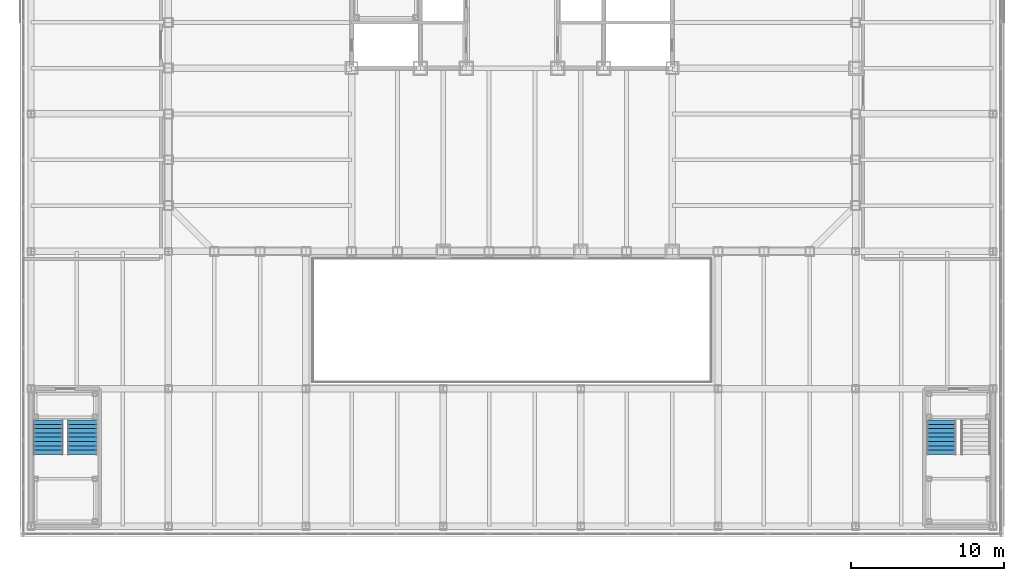
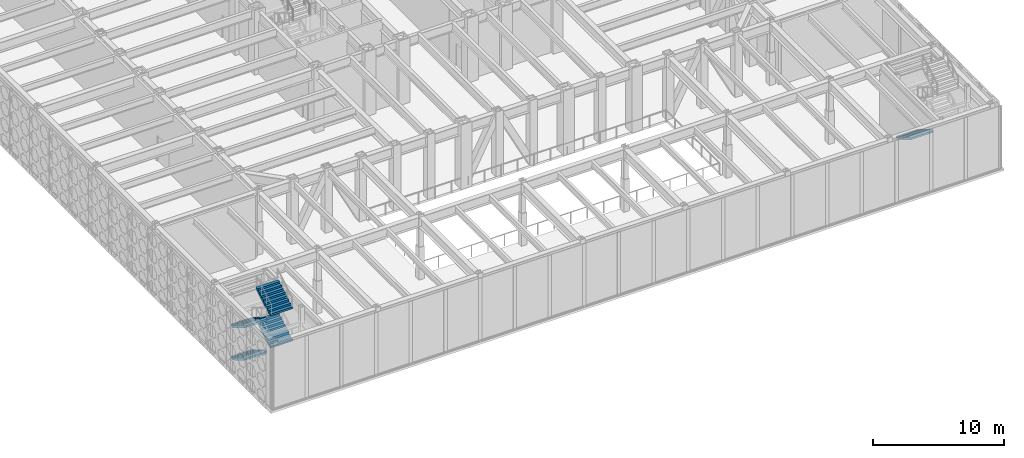
# One storey, part 18 of 32: 5 stair flights, 2 elements without a shape of their own.
"""IFC4 building model written with IfcOpenShell, lengths in metres."""

import ifcopenshell
import ifcopenshell.guid

model = None  # the IFC model being written
_history = None  # IfcOwnerHistory: only IFC2X3 demands one
_inside = {}  # id of a spatial element -> (the spatial element, [elements in it])
_under = {}  # id of a project, library or spatial element -> (it, [spatial elements below it])
_declared = {}  # id of a project -> (the project, [libraries it declares])
_typed = {}  # id of a type object -> (the type object, [elements of that type])
_made_of = {}  # id of a material, layer set ... -> (it, [elements and type objects made of it])


def new_model(schema):
    """Start an empty IFC model of exactly this schema.

    Asked for "IFC4X3", IfcOpenShell would pick the latest addendum, in which some entities
    have other attributes; the version numbers below select the first issue.
    IFC2X3 requires an IfcOwnerHistory on every rooted entity: one is made here for all.
    """
    global model, _history
    if schema == "IFC4X3":
        model = ifcopenshell.file(schema_version=(4, 3, 0, 0))
    else:
        model = ifcopenshell.file(schema=schema)
    _inside.clear()
    _under.clear()
    _declared.clear()
    _typed.clear()
    _made_of.clear()
    _history = None
    if model.schema == "IFC2X3":
        org = make("IfcOrganization", Name="unknown")
        user = make(
            "IfcPersonAndOrganization",
            ThePerson=make("IfcPerson", FamilyName="unknown"),
            TheOrganization=org,
        )
        app = make(
            "IfcApplication",
            ApplicationDeveloper=org,
            Version="unknown",
            ApplicationFullName="unknown",
            ApplicationIdentifier="unknown",
        )
        _history = make(
            "IfcOwnerHistory",
            OwningUser=user,
            OwningApplication=app,
            ChangeAction="ADDED",
            CreationDate=0,
        )
    return model


def make(cls, **values):
    """One entity of the class cls with the attributes given. An attribute that is None is left unset."""
    return model.create_entity(
        cls, **{name: value for name, value in values.items() if value is not None}
    )


def rooted(cls, **values):
    """An entity with a GlobalId (a new one), such as an element, a storey or a relation."""
    return make(cls, GlobalId=ifcopenshell.guid.new(), OwnerHistory=_history, **values)


def si_unit(unit_type, name, prefix=None):
    """IfcSIUnit, for example si_unit("LENGTHUNIT", "METRE", prefix="MILLI")."""
    return make("IfcSIUnit", UnitType=unit_type, Prefix=prefix, Name=name)


def assignment(units):
    """IfcUnitAssignment: the units of a project."""
    return None if units is None else make("IfcUnitAssignment", Units=units)


def point(xyz):
    """IfcCartesianPoint."""
    return None if xyz is None else make("IfcCartesianPoint", Coordinates=xyz)


def direction(xyz):
    """IfcDirection."""
    return None if xyz is None else make("IfcDirection", DirectionRatios=xyz)


def frame(location, z_axis=None, x_axis=None):
    """IfcAxis2Placement3D, a coordinate frame: its origin and axes. An axis left out is left unset."""
    return make(
        "IfcAxis2Placement3D",
        Location=point(location),
        Axis=direction(z_axis),
        RefDirection=direction(x_axis),
    )


def origin():
    """The frame at (0, 0, 0) with its axes left unset."""
    return frame((0.0, 0.0, 0.0))


def place(relative_to, where):
    """IfcLocalPlacement: puts the frame where relative to a parent placement (None: the world)."""
    return make(
        "IfcLocalPlacement", PlacementRelTo=relative_to, RelativePlacement=where
    )


def context(
    kind, dimensions, precision=None, world=None, true_north=None, identifier=None
):
    """IfcGeometricRepresentationContext, for example the 3D "Model" context."""
    return make(
        "IfcGeometricRepresentationContext",
        ContextIdentifier=identifier,
        ContextType=kind,
        CoordinateSpaceDimension=dimensions,
        Precision=precision,
        WorldCoordinateSystem=world,
        TrueNorth=true_north,
    )


def subcontext(parent, identifier, kind, view, scale=None):
    """IfcGeometricRepresentationSubContext, for example "Body" below "Model"."""
    return make(
        "IfcGeometricRepresentationSubContext",
        ContextIdentifier=identifier,
        ContextType=kind,
        ParentContext=parent,
        TargetScale=scale,
        TargetView=view,
    )


def project(units=None, contexts=None):
    """IfcProject with its units and contexts."""
    return rooted(
        "IfcProject",
        Name="project",
        RepresentationContexts=contexts,
        UnitsInContext=assignment(units),
    )


def spatial(cls, under=None, at=None, **own):
    """A site, building, storey or space (cls), placed at a placement, below another one or the project."""
    s = rooted(cls, ObjectPlacement=at, **own)
    if under is not None:
        _under.setdefault(under.id(), (under, []))[1].append(s)
    return s


def faces_of(points, faces, orient=None, outer=None):
    """IfcFace entities. A face is a list of loops; a loop is a list of indices into points, from 0.

    orient and outer hold one flag for each loop. By default every Orientation is true, the
    first loop of a face is its IfcFaceOuterBound and the others are IfcFaceBound.
    """
    made = []
    for i, loops in enumerate(faces):
        bounds = []
        for j, loop in enumerate(loops):
            is_outer = j == 0 if outer is None else outer[i][j]
            bounds.append(
                make(
                    "IfcFaceOuterBound" if is_outer else "IfcFaceBound",
                    Bound=make("IfcPolyLoop", Polygon=[points[k] for k in loop]),
                    Orientation=True if orient is None else orient[i][j],
                )
            )
        made.append(make("IfcFace", Bounds=bounds))
    return made


def faceted_brep(points, faces, orient=None, outer=None, voids=None):
    """IfcFacetedBrep: a solid bounded by flat faces; with voids (closed shells), ...WithVoids."""
    shared = [point(p) for p in points]
    hull = make("IfcClosedShell", CfsFaces=faces_of(shared, faces, orient, outer))
    if voids is None:
        return make("IfcFacetedBrep", Outer=hull)
    return make(
        "IfcFacetedBrepWithVoids",
        Outer=hull,
        Voids=[
            make(cls, CfsFaces=faces_of(shared, fs, o, b)) for cls, fs, o, b in voids
        ],
    )


def shape(context_of_items, identifier, shape_type, items):
    """IfcShapeRepresentation: the items that make up one representation, for example the "Body"."""
    return make(
        "IfcShapeRepresentation",
        ContextOfItems=context_of_items,
        RepresentationIdentifier=identifier,
        RepresentationType=shape_type,
        Items=items,
    )


def material(Name=None, Category=None):
    """IfcMaterial."""
    return make("IfcMaterial", Name=Name, Category=Category)


def made_of(thing, what):
    """Note that an element or type object is made of a material, layer set ...; save() writes the relation."""
    if what is not None:
        _made_of.setdefault(what.id(), (what, []))[1].append(thing)
    return thing


def type_object(cls, material=None, **own):
    """A type object (cls), such as IfcWallType, which elements share."""
    return made_of(rooted(cls, **own), material)


def element(
    cls,
    number,
    at=None,
    inside=None,
    cuts=None,
    type_object=None,
    material=None,
    context=None,
    identifier="Body",
    shape_type=None,
    held_by="IfcProductDefinitionShape",
    body=None,
    shapes=None,
    **own,
):
    """One element of the class cls, such as IfcWall. Its Tag is "e" and its number.

    at: its placement. inside: the storey or other place that contains it. cuts: it is an
    opening in that element (IfcRelVoidsElement). A single representation is given by context,
    identifier, shape_type and body (its items); several are given by shapes. held_by: the class
    of the entity that holds the representations. save() writes the other relations.
    """
    e = rooted(cls, Tag="e%d" % number, ObjectPlacement=at, **own)
    if body is not None:
        shapes = [shape(context, identifier, shape_type, body)]
    if shapes is not None:
        e.Representation = make(held_by, Representations=shapes)
    if inside is not None:
        _inside.setdefault(inside.id(), (inside, []))[1].append(e)
    if cuts is not None:
        rooted(
            "IfcRelVoidsElement", RelatingBuildingElement=cuts, RelatedOpeningElement=e
        )
    if type_object is not None:
        _typed.setdefault(type_object.id(), (type_object, []))[1].append(e)
    return made_of(e, material)


def aggregate(whole, parts):
    """IfcRelAggregates: a whole, such as a stair, and the parts it consists of."""
    return rooted("IfcRelAggregates", RelatingObject=whole, RelatedObjects=parts)


def save(model, path):
    """Write the relations noted so far, then the file.

    IfcRelAggregates (storeys below a building ...), IfcRelContainedInSpatialStructure (elements
    in a storey), IfcRelDefinesByType, IfcRelAssociatesMaterial and IfcRelDeclares: one each for
    every whole, place, type object, material and project.
    """
    for whole, parts in _under.values():
        aggregate(whole, parts)
    for where, things in _inside.values():
        rooted(
            "IfcRelContainedInSpatialStructure",
            RelatedElements=things,
            RelatingStructure=where,
        )
    for kind, things in _typed.values():
        rooted("IfcRelDefinesByType", RelatedObjects=things, RelatingType=kind)
    for what, things in _made_of.values():
        rooted("IfcRelAssociatesMaterial", RelatedObjects=things, RelatingMaterial=what)
    for by, libraries in _declared.values():
        rooted("IfcRelDeclares", RelatingContext=by, RelatedDefinitions=libraries)
    model.write(path)


model = new_model("IFC4")

# Units and contexts
model_context = context("Model", 3, precision=1e-05, world=origin(), true_north=direction((0.0, 1.0)))
body_context = subcontext(model_context, "Body", "Model", "MODEL_VIEW")
ifc_project = project(units=[si_unit("LENGTHUNIT", "METRE"), si_unit("AREAUNIT", "SQUARE_METRE"), si_unit("VOLUMEUNIT", "CUBIC_METRE"), si_unit("PLANEANGLEUNIT", "RADIAN"), si_unit("MASSUNIT", "GRAM", prefix="KILO")], contexts=[model_context])

# Site, building, storey
site_placement = place(None, origin())
site = spatial("IfcSite", under=ifc_project, at=site_placement, CompositionType="ELEMENT")
building_placement = place(site_placement, origin())
building = spatial("IfcBuilding", under=site, at=building_placement, Name="Chuquiago Exchange Tower", CompositionType="ELEMENT")
storey_placement = place(building_placement, frame((0.0, 0.0, 13.5)))
storey = spatial("IfcBuildingStorey", under=building, at=storey_placement, Name="L02", CompositionType="ELEMENT", Elevation=13.5)

# Stair, stair flights
ifc_material_1 = material(Name="Concrete C30/37, precast", Category="concrete")
stair_type_1 = type_object("IfcStairType", Name="PS1 double half-turn stair 6000", PredefinedType="DOUBLE_RETURN_STAIR", material=ifc_material_1)
stair_1_placement = place(storey_placement, origin())
stair_1 = element("IfcStair", 1, at=stair_1_placement, inside=storey, type_object=stair_type_1, Name="Stair PS1 L02", PredefinedType="DOUBLE_RETURN_STAIR")
ifc_material_2 = material(Name="Concrete C30/37, precast", Category="concrete")
stair_flight_type = type_object("IfcStairFlightType", Name="ST-F flight 1950 for 6000 storey", PredefinedType="STRAIGHT", material=ifc_material_2)
stair_flight_1_placement = place(storey_placement, frame((-7.875, -11.050048828125, 0.0), z_axis=(0.0, 0.0, 1.0), x_axis=(0.0, -1.0, 0.0)))
stair_flight_1 = element("IfcStairFlight", 2, at=stair_flight_1_placement, type_object=stair_flight_type, Name="PS1 flight 1", NumberOfRisers=9, NumberOfTreads=8, PredefinedType="STRAIGHT", RiserHeight=0.166666667, TreadLength=0.28, context=body_context, shape_type="Brep", body=[
    faceted_brep([(0.0, 0.97509765625, 0.0), (0.0, 0.97509765625, 0.166748046875), (0.280029296875, 0.97509765625, 0.166748046875), (0.280029296875, 0.97509765625, 0.333251953125), (0.56005859375, 0.97509765625, 0.333251953125), (0.56005859375, 0.97509765625, 0.5), (0.840087890625, 0.97509765625, 0.5), (0.840087890625, 0.97509765625, 0.666748046875), (1.1201171875, 0.97509765625, 0.666748046875), (1.1201171875, 0.97509765625, 0.833251953125), (1.39990234375, 0.97509765625, 0.833251953125), (1.39990234375, 0.97509765625, 1.0), (1.679931640625, 0.97509765625, 1.0), (1.679931640625, 0.97509765625, 1.166748046875), (1.9599609375, 0.97509765625, 1.166748046875), (1.9599609375, 0.97509765625, 1.333251953125), (2.239990234375, 0.97509765625, 1.333251953125), (2.239990234375, 0.97509765625, 1.158935546875), (0.29296875, 0.97509765625, 0.0), (0.29296875, -0.97509765625, 0.0), (2.239990234375, -0.97509765625, 1.158935546875), (2.239990234375, -0.97509765625, 1.333251953125), (1.9599609375, -0.97509765625, 1.333251953125), (1.9599609375, -0.97509765625, 1.166748046875), (1.679931640625, -0.97509765625, 1.166748046875), (1.679931640625, -0.97509765625, 1.0), (1.39990234375, -0.97509765625, 1.0), (1.39990234375, -0.97509765625, 0.833251953125), (1.1201171875, -0.97509765625, 0.833251953125), (1.1201171875, -0.97509765625, 0.666748046875), (0.840087890625, -0.97509765625, 0.666748046875), (0.840087890625, -0.97509765625, 0.5), (0.56005859375, -0.97509765625, 0.5), (0.56005859375, -0.97509765625, 0.333251953125), (0.280029296875, -0.97509765625, 0.333251953125), (0.280029296875, -0.97509765625, 0.166748046875), (0.0, -0.97509765625, 0.166748046875), (0.0, -0.97509765625, 0.0), (0.0, 0.487548828125, 0.0), (0.0, 0.487548828125, 0.166748046875), (0.0, 0.0, 0.0), (0.0, 0.0, 0.166748046875), (0.0, -0.487548828125, 0.0), (0.0, -0.487548828125, 0.166748046875), (0.280029296875, 0.487548828125, 0.166748046875), (0.280029296875, 0.0, 0.166748046875), (0.280029296875, -0.487548828125, 0.166748046875), (0.280029296875, 0.487548828125, 0.333251953125), (0.280029296875, 0.0, 0.333251953125), (0.280029296875, -0.487548828125, 0.333251953125), (0.56005859375, 0.487548828125, 0.333251953125), (0.56005859375, 0.0, 0.333251953125), (0.56005859375, -0.487548828125, 0.333251953125), (0.56005859375, 0.487548828125, 0.5), (0.56005859375, 0.0, 0.5), (0.56005859375, -0.487548828125, 0.5), (0.840087890625, 0.487548828125, 0.5), (0.840087890625, 0.0, 0.5), (0.840087890625, -0.487548828125, 0.5), (0.840087890625, 0.487548828125, 0.666748046875), (0.840087890625, 0.0, 0.666748046875), (0.840087890625, -0.487548828125, 0.666748046875), (1.1201171875, 0.487548828125, 0.666748046875), (1.1201171875, 0.0, 0.666748046875), (1.1201171875, -0.487548828125, 0.666748046875), (1.1201171875, 0.487548828125, 0.833251953125), (1.1201171875, 0.0, 0.833251953125), (1.1201171875, -0.487548828125, 0.833251953125), (1.39990234375, 0.487548828125, 0.833251953125), (1.39990234375, 0.0, 0.833251953125), (1.39990234375, -0.487548828125, 0.833251953125), (1.39990234375, 0.487548828125, 1.0), (1.39990234375, 0.0, 1.0), (1.39990234375, -0.487548828125, 1.0), (1.679931640625, 0.487548828125, 1.0), (1.679931640625, 0.0, 1.0), (1.679931640625, -0.487548828125, 1.0), (1.679931640625, 0.487548828125, 1.166748046875), (1.679931640625, 0.0, 1.166748046875), (1.679931640625, -0.487548828125, 1.166748046875), (1.9599609375, 0.487548828125, 1.166748046875), (1.9599609375, 0.0, 1.166748046875), (1.9599609375, -0.487548828125, 1.166748046875), (1.9599609375, 0.487548828125, 1.333251953125), (1.9599609375, 0.0, 1.333251953125), (1.9599609375, -0.487548828125, 1.333251953125), (2.239990234375, 0.487548828125, 1.333251953125), (2.239990234375, 0.0, 1.333251953125), (2.239990234375, -0.487548828125, 1.333251953125), (2.239990234375, 0.487548828125, 1.158935546875), (2.239990234375, 0.0, 1.158935546875), (2.239990234375, -0.487548828125, 1.158935546875), (0.29296875, 0.487548828125, 0.0), (0.29296875, 0.0, 0.0), (0.29296875, -0.487548828125, 0.0)], [[[0, 1, 2, 3, 4, 5, 6, 7, 8, 9, 10, 11, 12, 13, 14, 15, 16, 17, 18]], [[19, 20, 21, 22, 23, 24, 25, 26, 27, 28, 29, 30, 31, 32, 33, 34, 35, 36, 37]], [[1, 0, 38, 39]], [[39, 38, 40, 41]], [[41, 40, 42, 43]], [[43, 42, 37, 36]], [[2, 1, 39, 44]], [[44, 39, 41, 45]], [[45, 41, 43, 46]], [[46, 43, 36, 35]], [[3, 2, 44, 47]], [[47, 44, 45, 48]], [[48, 45, 46, 49]], [[49, 46, 35, 34]], [[4, 3, 47, 50]], [[50, 47, 48, 51]], [[51, 48, 49, 52]], [[52, 49, 34, 33]], [[5, 4, 50, 53]], [[53, 50, 51, 54]], [[54, 51, 52, 55]], [[55, 52, 33, 32]], [[6, 5, 53, 56]], [[56, 53, 54, 57]], [[57, 54, 55, 58]], [[58, 55, 32, 31]], [[7, 6, 56, 59]], [[59, 56, 57, 60]], [[60, 57, 58, 61]], [[61, 58, 31, 30]], [[8, 7, 59, 62]], [[62, 59, 60, 63]], [[63, 60, 61, 64]], [[64, 61, 30, 29]], [[9, 8, 62, 65]], [[65, 62, 63, 66]], [[66, 63, 64, 67]], [[67, 64, 29, 28]], [[10, 9, 65, 68]], [[68, 65, 66, 69]], [[69, 66, 67, 70]], [[70, 67, 28, 27]], [[11, 10, 68, 71]], [[71, 68, 69, 72]], [[72, 69, 70, 73]], [[73, 70, 27, 26]], [[12, 11, 71, 74]], [[74, 71, 72, 75]], [[75, 72, 73, 76]], [[76, 73, 26, 25]], [[13, 12, 74, 77]], [[77, 74, 75, 78]], [[78, 75, 76, 79]], [[79, 76, 25, 24]], [[14, 13, 77, 80]], [[80, 77, 78, 81]], [[81, 78, 79, 82]], [[82, 79, 24, 23]], [[15, 14, 80, 83]], [[83, 80, 81, 84]], [[84, 81, 82, 85]], [[85, 82, 23, 22]], [[16, 15, 83, 86]], [[86, 83, 84, 87]], [[87, 84, 85, 88]], [[88, 85, 22, 21]], [[17, 16, 86, 89]], [[89, 86, 87, 90]], [[90, 87, 88, 91]], [[91, 88, 21, 20]], [[18, 17, 89, 92]], [[92, 89, 90, 93]], [[93, 90, 91, 94]], [[94, 91, 20, 19]], [[0, 18, 92, 38]], [[38, 92, 93, 40]], [[40, 93, 94, 42]], [[42, 94, 19, 37]]]),
])
stair_flight_2_placement = place(storey_placement, frame((-5.625, -13.2900390625, 1.5), z_axis=(0.0, 0.0, 1.0), x_axis=(0.0, 1.0, 0.0)))
stair_flight_2 = element("IfcStairFlight", 3, at=stair_flight_2_placement, type_object=stair_flight_type, Name="PS1 flight 2", NumberOfRisers=9, NumberOfTreads=8, PredefinedType="STRAIGHT", RiserHeight=0.166666667, TreadLength=0.28, context=body_context, shape_type="Brep", body=[
    faceted_brep([(0.0, 0.97509765625, 0.0), (0.0, 0.97509765625, 0.166748046875), (0.280029296875, 0.97509765625, 0.166748046875), (0.280029296875, 0.97509765625, 0.333251953125), (0.56005859375, 0.97509765625, 0.333251953125), (0.56005859375, 0.97509765625, 0.5), (0.840087890625, 0.97509765625, 0.5), (0.840087890625, 0.97509765625, 0.666748046875), (1.1201171875, 0.97509765625, 0.666748046875), (1.1201171875, 0.97509765625, 0.833251953125), (1.39990234375, 0.97509765625, 0.833251953125), (1.39990234375, 0.97509765625, 1.0), (1.679931640625, 0.97509765625, 1.0), (1.679931640625, 0.97509765625, 1.166748046875), (1.9599609375, 0.97509765625, 1.166748046875), (1.9599609375, 0.97509765625, 1.333251953125), (2.239990234375, 0.97509765625, 1.333251953125), (2.239990234375, 0.97509765625, 1.158935546875), (0.29296875, 0.97509765625, 0.0), (0.29296875, -0.97509765625, 0.0), (2.239990234375, -0.97509765625, 1.158935546875), (2.239990234375, -0.97509765625, 1.333251953125), (1.9599609375, -0.97509765625, 1.333251953125), (1.9599609375, -0.97509765625, 1.166748046875), (1.679931640625, -0.97509765625, 1.166748046875), (1.679931640625, -0.97509765625, 1.0), (1.39990234375, -0.97509765625, 1.0), (1.39990234375, -0.97509765625, 0.833251953125), (1.1201171875, -0.97509765625, 0.833251953125), (1.1201171875, -0.97509765625, 0.666748046875), (0.840087890625, -0.97509765625, 0.666748046875), (0.840087890625, -0.97509765625, 0.5), (0.56005859375, -0.97509765625, 0.5), (0.56005859375, -0.97509765625, 0.333251953125), (0.280029296875, -0.97509765625, 0.333251953125), (0.280029296875, -0.97509765625, 0.166748046875), (0.0, -0.97509765625, 0.166748046875), (0.0, -0.97509765625, 0.0), (0.0, 0.487548828125, 0.0), (0.0, 0.487548828125, 0.166748046875), (0.0, 0.0, 0.0), (0.0, 0.0, 0.166748046875), (0.0, -0.487548828125, 0.0), (0.0, -0.487548828125, 0.166748046875), (0.280029296875, 0.487548828125, 0.166748046875), (0.280029296875, 0.0, 0.166748046875), (0.280029296875, -0.487548828125, 0.166748046875), (0.280029296875, 0.487548828125, 0.333251953125), (0.280029296875, 0.0, 0.333251953125), (0.280029296875, -0.487548828125, 0.333251953125), (0.56005859375, 0.487548828125, 0.333251953125), (0.56005859375, 0.0, 0.333251953125), (0.56005859375, -0.487548828125, 0.333251953125), (0.56005859375, 0.487548828125, 0.5), (0.56005859375, 0.0, 0.5), (0.56005859375, -0.487548828125, 0.5), (0.840087890625, 0.487548828125, 0.5), (0.840087890625, 0.0, 0.5), (0.840087890625, -0.487548828125, 0.5), (0.840087890625, 0.487548828125, 0.666748046875), (0.840087890625, 0.0, 0.666748046875), (0.840087890625, -0.487548828125, 0.666748046875), (1.1201171875, 0.487548828125, 0.666748046875), (1.1201171875, 0.0, 0.666748046875), (1.1201171875, -0.487548828125, 0.666748046875), (1.1201171875, 0.487548828125, 0.833251953125), (1.1201171875, 0.0, 0.833251953125), (1.1201171875, -0.487548828125, 0.833251953125), (1.39990234375, 0.487548828125, 0.833251953125), (1.39990234375, 0.0, 0.833251953125), (1.39990234375, -0.487548828125, 0.833251953125), (1.39990234375, 0.487548828125, 1.0), (1.39990234375, 0.0, 1.0), (1.39990234375, -0.487548828125, 1.0), (1.679931640625, 0.487548828125, 1.0), (1.679931640625, 0.0, 1.0), (1.679931640625, -0.487548828125, 1.0), (1.679931640625, 0.487548828125, 1.166748046875), (1.679931640625, 0.0, 1.166748046875), (1.679931640625, -0.487548828125, 1.166748046875), (1.9599609375, 0.487548828125, 1.166748046875), (1.9599609375, 0.0, 1.166748046875), (1.9599609375, -0.487548828125, 1.166748046875), (1.9599609375, 0.487548828125, 1.333251953125), (1.9599609375, 0.0, 1.333251953125), (1.9599609375, -0.487548828125, 1.333251953125), (2.239990234375, 0.487548828125, 1.333251953125), (2.239990234375, 0.0, 1.333251953125), (2.239990234375, -0.487548828125, 1.333251953125), (2.239990234375, 0.487548828125, 1.158935546875), (2.239990234375, 0.0, 1.158935546875), (2.239990234375, -0.487548828125, 1.158935546875), (0.29296875, 0.487548828125, 0.0), (0.29296875, 0.0, 0.0), (0.29296875, -0.487548828125, 0.0)], [[[0, 1, 2, 3, 4, 5, 6, 7, 8, 9, 10, 11, 12, 13, 14, 15, 16, 17, 18]], [[19, 20, 21, 22, 23, 24, 25, 26, 27, 28, 29, 30, 31, 32, 33, 34, 35, 36, 37]], [[1, 0, 38, 39]], [[39, 38, 40, 41]], [[41, 40, 42, 43]], [[43, 42, 37, 36]], [[2, 1, 39, 44]], [[44, 39, 41, 45]], [[45, 41, 43, 46]], [[46, 43, 36, 35]], [[3, 2, 44, 47]], [[47, 44, 45, 48]], [[48, 45, 46, 49]], [[49, 46, 35, 34]], [[4, 3, 47, 50]], [[50, 47, 48, 51]], [[51, 48, 49, 52]], [[52, 49, 34, 33]], [[5, 4, 50, 53]], [[53, 50, 51, 54]], [[54, 51, 52, 55]], [[55, 52, 33, 32]], [[6, 5, 53, 56]], [[56, 53, 54, 57]], [[57, 54, 55, 58]], [[58, 55, 32, 31]], [[7, 6, 56, 59]], [[59, 56, 57, 60]], [[60, 57, 58, 61]], [[61, 58, 31, 30]], [[8, 7, 59, 62]], [[62, 59, 60, 63]], [[63, 60, 61, 64]], [[64, 61, 30, 29]], [[9, 8, 62, 65]], [[65, 62, 63, 66]], [[66, 63, 64, 67]], [[67, 64, 29, 28]], [[10, 9, 65, 68]], [[68, 65, 66, 69]], [[69, 66, 67, 70]], [[70, 67, 28, 27]], [[11, 10, 68, 71]], [[71, 68, 69, 72]], [[72, 69, 70, 73]], [[73, 70, 27, 26]], [[12, 11, 71, 74]], [[74, 71, 72, 75]], [[75, 72, 73, 76]], [[76, 73, 26, 25]], [[13, 12, 74, 77]], [[77, 74, 75, 78]], [[78, 75, 76, 79]], [[79, 76, 25, 24]], [[14, 13, 77, 80]], [[80, 77, 78, 81]], [[81, 78, 79, 82]], [[82, 79, 24, 23]], [[15, 14, 80, 83]], [[83, 80, 81, 84]], [[84, 81, 82, 85]], [[85, 82, 23, 22]], [[16, 15, 83, 86]], [[86, 83, 84, 87]], [[87, 84, 85, 88]], [[88, 85, 22, 21]], [[17, 16, 86, 89]], [[89, 86, 87, 90]], [[90, 87, 88, 91]], [[91, 88, 21, 20]], [[18, 17, 89, 92]], [[92, 89, 90, 93]], [[93, 90, 91, 94]], [[94, 91, 20, 19]], [[0, 18, 92, 38]], [[38, 92, 93, 40]], [[40, 93, 94, 42]], [[42, 94, 19, 37]]]),
])
stair_flight_3_placement = place(storey_placement, frame((-7.875, -11.050048828125, 3.0), z_axis=(0.0, 0.0, 1.0), x_axis=(0.0, -1.0, 0.0)))
stair_flight_3 = element("IfcStairFlight", 4, at=stair_flight_3_placement, type_object=stair_flight_type, Name="PS1 flight 3", NumberOfRisers=9, NumberOfTreads=8, PredefinedType="STRAIGHT", RiserHeight=0.166666667, TreadLength=0.28, context=body_context, shape_type="Brep", body=[
    faceted_brep([(0.0, 0.97509765625, 0.0), (0.0, 0.97509765625, 0.166748046875), (0.280029296875, 0.97509765625, 0.166748046875), (0.280029296875, 0.97509765625, 0.333251953125), (0.56005859375, 0.97509765625, 0.333251953125), (0.56005859375, 0.97509765625, 0.5), (0.840087890625, 0.97509765625, 0.5), (0.840087890625, 0.97509765625, 0.666748046875), (1.1201171875, 0.97509765625, 0.666748046875), (1.1201171875, 0.97509765625, 0.833251953125), (1.39990234375, 0.97509765625, 0.833251953125), (1.39990234375, 0.97509765625, 1.0), (1.679931640625, 0.97509765625, 1.0), (1.679931640625, 0.97509765625, 1.166748046875), (1.9599609375, 0.97509765625, 1.166748046875), (1.9599609375, 0.97509765625, 1.333251953125), (2.239990234375, 0.97509765625, 1.333251953125), (2.239990234375, 0.97509765625, 1.158935546875), (0.29296875, 0.97509765625, 0.0), (0.29296875, -0.97509765625, 0.0), (2.239990234375, -0.97509765625, 1.158935546875), (2.239990234375, -0.97509765625, 1.333251953125), (1.9599609375, -0.97509765625, 1.333251953125), (1.9599609375, -0.97509765625, 1.166748046875), (1.679931640625, -0.97509765625, 1.166748046875), (1.679931640625, -0.97509765625, 1.0), (1.39990234375, -0.97509765625, 1.0), (1.39990234375, -0.97509765625, 0.833251953125), (1.1201171875, -0.97509765625, 0.833251953125), (1.1201171875, -0.97509765625, 0.666748046875), (0.840087890625, -0.97509765625, 0.666748046875), (0.840087890625, -0.97509765625, 0.5), (0.56005859375, -0.97509765625, 0.5), (0.56005859375, -0.97509765625, 0.333251953125), (0.280029296875, -0.97509765625, 0.333251953125), (0.280029296875, -0.97509765625, 0.166748046875), (0.0, -0.97509765625, 0.166748046875), (0.0, -0.97509765625, 0.0), (0.0, 0.487548828125, 0.0), (0.0, 0.487548828125, 0.166748046875), (0.0, 0.0, 0.0), (0.0, 0.0, 0.166748046875), (0.0, -0.487548828125, 0.0), (0.0, -0.487548828125, 0.166748046875), (0.280029296875, 0.487548828125, 0.166748046875), (0.280029296875, 0.0, 0.166748046875), (0.280029296875, -0.487548828125, 0.166748046875), (0.280029296875, 0.487548828125, 0.333251953125), (0.280029296875, 0.0, 0.333251953125), (0.280029296875, -0.487548828125, 0.333251953125), (0.56005859375, 0.487548828125, 0.333251953125), (0.56005859375, 0.0, 0.333251953125), (0.56005859375, -0.487548828125, 0.333251953125), (0.56005859375, 0.487548828125, 0.5), (0.56005859375, 0.0, 0.5), (0.56005859375, -0.487548828125, 0.5), (0.840087890625, 0.487548828125, 0.5), (0.840087890625, 0.0, 0.5), (0.840087890625, -0.487548828125, 0.5), (0.840087890625, 0.487548828125, 0.666748046875), (0.840087890625, 0.0, 0.666748046875), (0.840087890625, -0.487548828125, 0.666748046875), (1.1201171875, 0.487548828125, 0.666748046875), (1.1201171875, 0.0, 0.666748046875), (1.1201171875, -0.487548828125, 0.666748046875), (1.1201171875, 0.487548828125, 0.833251953125), (1.1201171875, 0.0, 0.833251953125), (1.1201171875, -0.487548828125, 0.833251953125), (1.39990234375, 0.487548828125, 0.833251953125), (1.39990234375, 0.0, 0.833251953125), (1.39990234375, -0.487548828125, 0.833251953125), (1.39990234375, 0.487548828125, 1.0), (1.39990234375, 0.0, 1.0), (1.39990234375, -0.487548828125, 1.0), (1.679931640625, 0.487548828125, 1.0), (1.679931640625, 0.0, 1.0), (1.679931640625, -0.487548828125, 1.0), (1.679931640625, 0.487548828125, 1.166748046875), (1.679931640625, 0.0, 1.166748046875), (1.679931640625, -0.487548828125, 1.166748046875), (1.9599609375, 0.487548828125, 1.166748046875), (1.9599609375, 0.0, 1.166748046875), (1.9599609375, -0.487548828125, 1.166748046875), (1.9599609375, 0.487548828125, 1.333251953125), (1.9599609375, 0.0, 1.333251953125), (1.9599609375, -0.487548828125, 1.333251953125), (2.239990234375, 0.487548828125, 1.333251953125), (2.239990234375, 0.0, 1.333251953125), (2.239990234375, -0.487548828125, 1.333251953125), (2.239990234375, 0.487548828125, 1.158935546875), (2.239990234375, 0.0, 1.158935546875), (2.239990234375, -0.487548828125, 1.158935546875), (0.29296875, 0.487548828125, 0.0), (0.29296875, 0.0, 0.0), (0.29296875, -0.487548828125, 0.0)], [[[0, 1, 2, 3, 4, 5, 6, 7, 8, 9, 10, 11, 12, 13, 14, 15, 16, 17, 18]], [[19, 20, 21, 22, 23, 24, 25, 26, 27, 28, 29, 30, 31, 32, 33, 34, 35, 36, 37]], [[1, 0, 38, 39]], [[39, 38, 40, 41]], [[41, 40, 42, 43]], [[43, 42, 37, 36]], [[2, 1, 39, 44]], [[44, 39, 41, 45]], [[45, 41, 43, 46]], [[46, 43, 36, 35]], [[3, 2, 44, 47]], [[47, 44, 45, 48]], [[48, 45, 46, 49]], [[49, 46, 35, 34]], [[4, 3, 47, 50]], [[50, 47, 48, 51]], [[51, 48, 49, 52]], [[52, 49, 34, 33]], [[5, 4, 50, 53]], [[53, 50, 51, 54]], [[54, 51, 52, 55]], [[55, 52, 33, 32]], [[6, 5, 53, 56]], [[56, 53, 54, 57]], [[57, 54, 55, 58]], [[58, 55, 32, 31]], [[7, 6, 56, 59]], [[59, 56, 57, 60]], [[60, 57, 58, 61]], [[61, 58, 31, 30]], [[8, 7, 59, 62]], [[62, 59, 60, 63]], [[63, 60, 61, 64]], [[64, 61, 30, 29]], [[9, 8, 62, 65]], [[65, 62, 63, 66]], [[66, 63, 64, 67]], [[67, 64, 29, 28]], [[10, 9, 65, 68]], [[68, 65, 66, 69]], [[69, 66, 67, 70]], [[70, 67, 28, 27]], [[11, 10, 68, 71]], [[71, 68, 69, 72]], [[72, 69, 70, 73]], [[73, 70, 27, 26]], [[12, 11, 71, 74]], [[74, 71, 72, 75]], [[75, 72, 73, 76]], [[76, 73, 26, 25]], [[13, 12, 74, 77]], [[77, 74, 75, 78]], [[78, 75, 76, 79]], [[79, 76, 25, 24]], [[14, 13, 77, 80]], [[80, 77, 78, 81]], [[81, 78, 79, 82]], [[82, 79, 24, 23]], [[15, 14, 80, 83]], [[83, 80, 81, 84]], [[84, 81, 82, 85]], [[85, 82, 23, 22]], [[16, 15, 83, 86]], [[86, 83, 84, 87]], [[87, 84, 85, 88]], [[88, 85, 22, 21]], [[17, 16, 86, 89]], [[89, 86, 87, 90]], [[90, 87, 88, 91]], [[91, 88, 21, 20]], [[18, 17, 89, 92]], [[92, 89, 90, 93]], [[93, 90, 91, 94]], [[94, 91, 20, 19]], [[0, 18, 92, 38]], [[38, 92, 93, 40]], [[40, 93, 94, 42]], [[42, 94, 19, 37]]]),
])
stair_flight_4_placement = place(storey_placement, frame((-5.625, -13.2900390625, 4.5), z_axis=(0.0, 0.0, 1.0), x_axis=(0.0, 1.0, 0.0)))
stair_flight_4 = element("IfcStairFlight", 5, at=stair_flight_4_placement, type_object=stair_flight_type, Name="PS1 flight 4", NumberOfRisers=9, NumberOfTreads=8, PredefinedType="STRAIGHT", RiserHeight=0.166666667, TreadLength=0.28, context=body_context, shape_type="Brep", body=[
    faceted_brep([(0.0, 0.97509765625, 0.0), (0.0, 0.97509765625, 0.166748046875), (0.280029296875, 0.97509765625, 0.166748046875), (0.280029296875, 0.97509765625, 0.333251953125), (0.56005859375, 0.97509765625, 0.333251953125), (0.56005859375, 0.97509765625, 0.5), (0.840087890625, 0.97509765625, 0.5), (0.840087890625, 0.97509765625, 0.666748046875), (1.1201171875, 0.97509765625, 0.666748046875), (1.1201171875, 0.97509765625, 0.833251953125), (1.39990234375, 0.97509765625, 0.833251953125), (1.39990234375, 0.97509765625, 1.0), (1.679931640625, 0.97509765625, 1.0), (1.679931640625, 0.97509765625, 1.166748046875), (1.9599609375, 0.97509765625, 1.166748046875), (1.9599609375, 0.97509765625, 1.333251953125), (2.239990234375, 0.97509765625, 1.333251953125), (2.239990234375, 0.97509765625, 1.158935546875), (0.29296875, 0.97509765625, 0.0), (0.29296875, -0.97509765625, 0.0), (2.239990234375, -0.97509765625, 1.158935546875), (2.239990234375, -0.97509765625, 1.333251953125), (1.9599609375, -0.97509765625, 1.333251953125), (1.9599609375, -0.97509765625, 1.166748046875), (1.679931640625, -0.97509765625, 1.166748046875), (1.679931640625, -0.97509765625, 1.0), (1.39990234375, -0.97509765625, 1.0), (1.39990234375, -0.97509765625, 0.833251953125), (1.1201171875, -0.97509765625, 0.833251953125), (1.1201171875, -0.97509765625, 0.666748046875), (0.840087890625, -0.97509765625, 0.666748046875), (0.840087890625, -0.97509765625, 0.5), (0.56005859375, -0.97509765625, 0.5), (0.56005859375, -0.97509765625, 0.333251953125), (0.280029296875, -0.97509765625, 0.333251953125), (0.280029296875, -0.97509765625, 0.166748046875), (0.0, -0.97509765625, 0.166748046875), (0.0, -0.97509765625, 0.0), (0.0, 0.487548828125, 0.0), (0.0, 0.487548828125, 0.166748046875), (0.0, 0.0, 0.0), (0.0, 0.0, 0.166748046875), (0.0, -0.487548828125, 0.0), (0.0, -0.487548828125, 0.166748046875), (0.280029296875, 0.487548828125, 0.166748046875), (0.280029296875, 0.0, 0.166748046875), (0.280029296875, -0.487548828125, 0.166748046875), (0.280029296875, 0.487548828125, 0.333251953125), (0.280029296875, 0.0, 0.333251953125), (0.280029296875, -0.487548828125, 0.333251953125), (0.56005859375, 0.487548828125, 0.333251953125), (0.56005859375, 0.0, 0.333251953125), (0.56005859375, -0.487548828125, 0.333251953125), (0.56005859375, 0.487548828125, 0.5), (0.56005859375, 0.0, 0.5), (0.56005859375, -0.487548828125, 0.5), (0.840087890625, 0.487548828125, 0.5), (0.840087890625, 0.0, 0.5), (0.840087890625, -0.487548828125, 0.5), (0.840087890625, 0.487548828125, 0.666748046875), (0.840087890625, 0.0, 0.666748046875), (0.840087890625, -0.487548828125, 0.666748046875), (1.1201171875, 0.487548828125, 0.666748046875), (1.1201171875, 0.0, 0.666748046875), (1.1201171875, -0.487548828125, 0.666748046875), (1.1201171875, 0.487548828125, 0.833251953125), (1.1201171875, 0.0, 0.833251953125), (1.1201171875, -0.487548828125, 0.833251953125), (1.39990234375, 0.487548828125, 0.833251953125), (1.39990234375, 0.0, 0.833251953125), (1.39990234375, -0.487548828125, 0.833251953125), (1.39990234375, 0.487548828125, 1.0), (1.39990234375, 0.0, 1.0), (1.39990234375, -0.487548828125, 1.0), (1.679931640625, 0.487548828125, 1.0), (1.679931640625, 0.0, 1.0), (1.679931640625, -0.487548828125, 1.0), (1.679931640625, 0.487548828125, 1.166748046875), (1.679931640625, 0.0, 1.166748046875), (1.679931640625, -0.487548828125, 1.166748046875), (1.9599609375, 0.487548828125, 1.166748046875), (1.9599609375, 0.0, 1.166748046875), (1.9599609375, -0.487548828125, 1.166748046875), (1.9599609375, 0.487548828125, 1.333251953125), (1.9599609375, 0.0, 1.333251953125), (1.9599609375, -0.487548828125, 1.333251953125), (2.239990234375, 0.487548828125, 1.333251953125), (2.239990234375, 0.0, 1.333251953125), (2.239990234375, -0.487548828125, 1.333251953125), (2.239990234375, 0.487548828125, 1.158935546875), (2.239990234375, 0.0, 1.158935546875), (2.239990234375, -0.487548828125, 1.158935546875), (0.29296875, 0.487548828125, 0.0), (0.29296875, 0.0, 0.0), (0.29296875, -0.487548828125, 0.0)], [[[0, 1, 2, 3, 4, 5, 6, 7, 8, 9, 10, 11, 12, 13, 14, 15, 16, 17, 18]], [[19, 20, 21, 22, 23, 24, 25, 26, 27, 28, 29, 30, 31, 32, 33, 34, 35, 36, 37]], [[1, 0, 38, 39]], [[39, 38, 40, 41]], [[41, 40, 42, 43]], [[43, 42, 37, 36]], [[2, 1, 39, 44]], [[44, 39, 41, 45]], [[45, 41, 43, 46]], [[46, 43, 36, 35]], [[3, 2, 44, 47]], [[47, 44, 45, 48]], [[48, 45, 46, 49]], [[49, 46, 35, 34]], [[4, 3, 47, 50]], [[50, 47, 48, 51]], [[51, 48, 49, 52]], [[52, 49, 34, 33]], [[5, 4, 50, 53]], [[53, 50, 51, 54]], [[54, 51, 52, 55]], [[55, 52, 33, 32]], [[6, 5, 53, 56]], [[56, 53, 54, 57]], [[57, 54, 55, 58]], [[58, 55, 32, 31]], [[7, 6, 56, 59]], [[59, 56, 57, 60]], [[60, 57, 58, 61]], [[61, 58, 31, 30]], [[8, 7, 59, 62]], [[62, 59, 60, 63]], [[63, 60, 61, 64]], [[64, 61, 30, 29]], [[9, 8, 62, 65]], [[65, 62, 63, 66]], [[66, 63, 64, 67]], [[67, 64, 29, 28]], [[10, 9, 65, 68]], [[68, 65, 66, 69]], [[69, 66, 67, 70]], [[70, 67, 28, 27]], [[11, 10, 68, 71]], [[71, 68, 69, 72]], [[72, 69, 70, 73]], [[73, 70, 27, 26]], [[12, 11, 71, 74]], [[74, 71, 72, 75]], [[75, 72, 73, 76]], [[76, 73, 26, 25]], [[13, 12, 74, 77]], [[77, 74, 75, 78]], [[78, 75, 76, 79]], [[79, 76, 25, 24]], [[14, 13, 77, 80]], [[80, 77, 78, 81]], [[81, 78, 79, 82]], [[82, 79, 24, 23]], [[15, 14, 80, 83]], [[83, 80, 81, 84]], [[84, 81, 82, 85]], [[85, 82, 23, 22]], [[16, 15, 83, 86]], [[86, 83, 84, 87]], [[87, 84, 85, 88]], [[88, 85, 22, 21]], [[17, 16, 86, 89]], [[89, 86, 87, 90]], [[90, 87, 88, 91]], [[91, 88, 21, 20]], [[18, 17, 89, 92]], [[92, 89, 90, 93]], [[93, 90, 91, 94]], [[94, 91, 20, 19]], [[0, 18, 92, 38]], [[38, 92, 93, 40]], [[40, 93, 94, 42]], [[42, 94, 19, 37]]]),
])
aggregate(stair_1, [stair_flight_1, stair_flight_2, stair_flight_3, stair_flight_4])

# Stair, stair flight
ifc_material_3 = material(Name="Concrete C30/37, precast", Category="concrete")
stair_type_2 = type_object("IfcStairType", Name="PS2 double half-turn stair 6000", PredefinedType="DOUBLE_RETURN_STAIR", material=ifc_material_3)
stair_2_placement = place(storey_placement, origin())
stair_2 = element("IfcStair", 6, at=stair_2_placement, inside=storey, type_object=stair_type_2, Name="Stair PS2 L02", PredefinedType="DOUBLE_RETURN_STAIR")
stair_flight_5_placement = place(storey_placement, frame((50.625, -11.050048828125, 0.0), z_axis=(0.0, 0.0, 1.0), x_axis=(0.0, -1.0, 0.0)))
stair_flight_5 = element("IfcStairFlight", 7, at=stair_flight_5_placement, type_object=stair_flight_type, Name="PS2 flight 1", NumberOfRisers=9, NumberOfTreads=8, PredefinedType="STRAIGHT", RiserHeight=0.166666667, TreadLength=0.28, context=body_context, shape_type="Brep", body=[
    faceted_brep([(0.0, 0.97509765625, 0.0), (0.0, 0.97509765625, 0.166748046875), (0.280029296875, 0.97509765625, 0.166748046875), (0.280029296875, 0.97509765625, 0.333251953125), (0.56005859375, 0.97509765625, 0.333251953125), (0.56005859375, 0.97509765625, 0.5), (0.840087890625, 0.97509765625, 0.5), (0.840087890625, 0.97509765625, 0.666748046875), (1.1201171875, 0.97509765625, 0.666748046875), (1.1201171875, 0.97509765625, 0.833251953125), (1.39990234375, 0.97509765625, 0.833251953125), (1.39990234375, 0.97509765625, 1.0), (1.679931640625, 0.97509765625, 1.0), (1.679931640625, 0.97509765625, 1.166748046875), (1.9599609375, 0.97509765625, 1.166748046875), (1.9599609375, 0.97509765625, 1.333251953125), (2.239990234375, 0.97509765625, 1.333251953125), (2.239990234375, 0.97509765625, 1.158935546875), (0.29296875, 0.97509765625, 0.0), (0.29296875, -0.97509765625, 0.0), (2.239990234375, -0.97509765625, 1.158935546875), (2.239990234375, -0.97509765625, 1.333251953125), (1.9599609375, -0.97509765625, 1.333251953125), (1.9599609375, -0.97509765625, 1.166748046875), (1.679931640625, -0.97509765625, 1.166748046875), (1.679931640625, -0.97509765625, 1.0), (1.39990234375, -0.97509765625, 1.0), (1.39990234375, -0.97509765625, 0.833251953125), (1.1201171875, -0.97509765625, 0.833251953125), (1.1201171875, -0.97509765625, 0.666748046875), (0.840087890625, -0.97509765625, 0.666748046875), (0.840087890625, -0.97509765625, 0.5), (0.56005859375, -0.97509765625, 0.5), (0.56005859375, -0.97509765625, 0.333251953125), (0.280029296875, -0.97509765625, 0.333251953125), (0.280029296875, -0.97509765625, 0.166748046875), (0.0, -0.97509765625, 0.166748046875), (0.0, -0.97509765625, 0.0), (0.0, 0.487548828125, 0.0), (0.0, 0.487548828125, 0.166748046875), (0.0, 0.0, 0.0), (0.0, 0.0, 0.166748046875), (0.0, -0.487548828125, 0.0), (0.0, -0.487548828125, 0.166748046875), (0.280029296875, 0.487548828125, 0.166748046875), (0.280029296875, 0.0, 0.166748046875), (0.280029296875, -0.487548828125, 0.166748046875), (0.280029296875, 0.487548828125, 0.333251953125), (0.280029296875, 0.0, 0.333251953125), (0.280029296875, -0.487548828125, 0.333251953125), (0.56005859375, 0.487548828125, 0.333251953125), (0.56005859375, 0.0, 0.333251953125), (0.56005859375, -0.487548828125, 0.333251953125), (0.56005859375, 0.487548828125, 0.5), (0.56005859375, 0.0, 0.5), (0.56005859375, -0.487548828125, 0.5), (0.840087890625, 0.487548828125, 0.5), (0.840087890625, 0.0, 0.5), (0.840087890625, -0.487548828125, 0.5), (0.840087890625, 0.487548828125, 0.666748046875), (0.840087890625, 0.0, 0.666748046875), (0.840087890625, -0.487548828125, 0.666748046875), (1.1201171875, 0.487548828125, 0.666748046875), (1.1201171875, 0.0, 0.666748046875), (1.1201171875, -0.487548828125, 0.666748046875), (1.1201171875, 0.487548828125, 0.833251953125), (1.1201171875, 0.0, 0.833251953125), (1.1201171875, -0.487548828125, 0.833251953125), (1.39990234375, 0.487548828125, 0.833251953125), (1.39990234375, 0.0, 0.833251953125), (1.39990234375, -0.487548828125, 0.833251953125), (1.39990234375, 0.487548828125, 1.0), (1.39990234375, 0.0, 1.0), (1.39990234375, -0.487548828125, 1.0), (1.679931640625, 0.487548828125, 1.0), (1.679931640625, 0.0, 1.0), (1.679931640625, -0.487548828125, 1.0), (1.679931640625, 0.487548828125, 1.166748046875), (1.679931640625, 0.0, 1.166748046875), (1.679931640625, -0.487548828125, 1.166748046875), (1.9599609375, 0.487548828125, 1.166748046875), (1.9599609375, 0.0, 1.166748046875), (1.9599609375, -0.487548828125, 1.166748046875), (1.9599609375, 0.487548828125, 1.333251953125), (1.9599609375, 0.0, 1.333251953125), (1.9599609375, -0.487548828125, 1.333251953125), (2.239990234375, 0.487548828125, 1.333251953125), (2.239990234375, 0.0, 1.333251953125), (2.239990234375, -0.487548828125, 1.333251953125), (2.239990234375, 0.487548828125, 1.158935546875), (2.239990234375, 0.0, 1.158935546875), (2.239990234375, -0.487548828125, 1.158935546875), (0.29296875, 0.487548828125, 0.0), (0.29296875, 0.0, 0.0), (0.29296875, -0.487548828125, 0.0)], [[[0, 1, 2, 3, 4, 5, 6, 7, 8, 9, 10, 11, 12, 13, 14, 15, 16, 17, 18]], [[19, 20, 21, 22, 23, 24, 25, 26, 27, 28, 29, 30, 31, 32, 33, 34, 35, 36, 37]], [[1, 0, 38, 39]], [[39, 38, 40, 41]], [[41, 40, 42, 43]], [[43, 42, 37, 36]], [[2, 1, 39, 44]], [[44, 39, 41, 45]], [[45, 41, 43, 46]], [[46, 43, 36, 35]], [[3, 2, 44, 47]], [[47, 44, 45, 48]], [[48, 45, 46, 49]], [[49, 46, 35, 34]], [[4, 3, 47, 50]], [[50, 47, 48, 51]], [[51, 48, 49, 52]], [[52, 49, 34, 33]], [[5, 4, 50, 53]], [[53, 50, 51, 54]], [[54, 51, 52, 55]], [[55, 52, 33, 32]], [[6, 5, 53, 56]], [[56, 53, 54, 57]], [[57, 54, 55, 58]], [[58, 55, 32, 31]], [[7, 6, 56, 59]], [[59, 56, 57, 60]], [[60, 57, 58, 61]], [[61, 58, 31, 30]], [[8, 7, 59, 62]], [[62, 59, 60, 63]], [[63, 60, 61, 64]], [[64, 61, 30, 29]], [[9, 8, 62, 65]], [[65, 62, 63, 66]], [[66, 63, 64, 67]], [[67, 64, 29, 28]], [[10, 9, 65, 68]], [[68, 65, 66, 69]], [[69, 66, 67, 70]], [[70, 67, 28, 27]], [[11, 10, 68, 71]], [[71, 68, 69, 72]], [[72, 69, 70, 73]], [[73, 70, 27, 26]], [[12, 11, 71, 74]], [[74, 71, 72, 75]], [[75, 72, 73, 76]], [[76, 73, 26, 25]], [[13, 12, 74, 77]], [[77, 74, 75, 78]], [[78, 75, 76, 79]], [[79, 76, 25, 24]], [[14, 13, 77, 80]], [[80, 77, 78, 81]], [[81, 78, 79, 82]], [[82, 79, 24, 23]], [[15, 14, 80, 83]], [[83, 80, 81, 84]], [[84, 81, 82, 85]], [[85, 82, 23, 22]], [[16, 15, 83, 86]], [[86, 83, 84, 87]], [[87, 84, 85, 88]], [[88, 85, 22, 21]], [[17, 16, 86, 89]], [[89, 86, 87, 90]], [[90, 87, 88, 91]], [[91, 88, 21, 20]], [[18, 17, 89, 92]], [[92, 89, 90, 93]], [[93, 90, 91, 94]], [[94, 91, 20, 19]], [[0, 18, 92, 38]], [[38, 92, 93, 40]], [[40, 93, 94, 42]], [[42, 94, 19, 37]]]),
])
aggregate(stair_2, [stair_flight_5])

save(model, "model.ifc")
